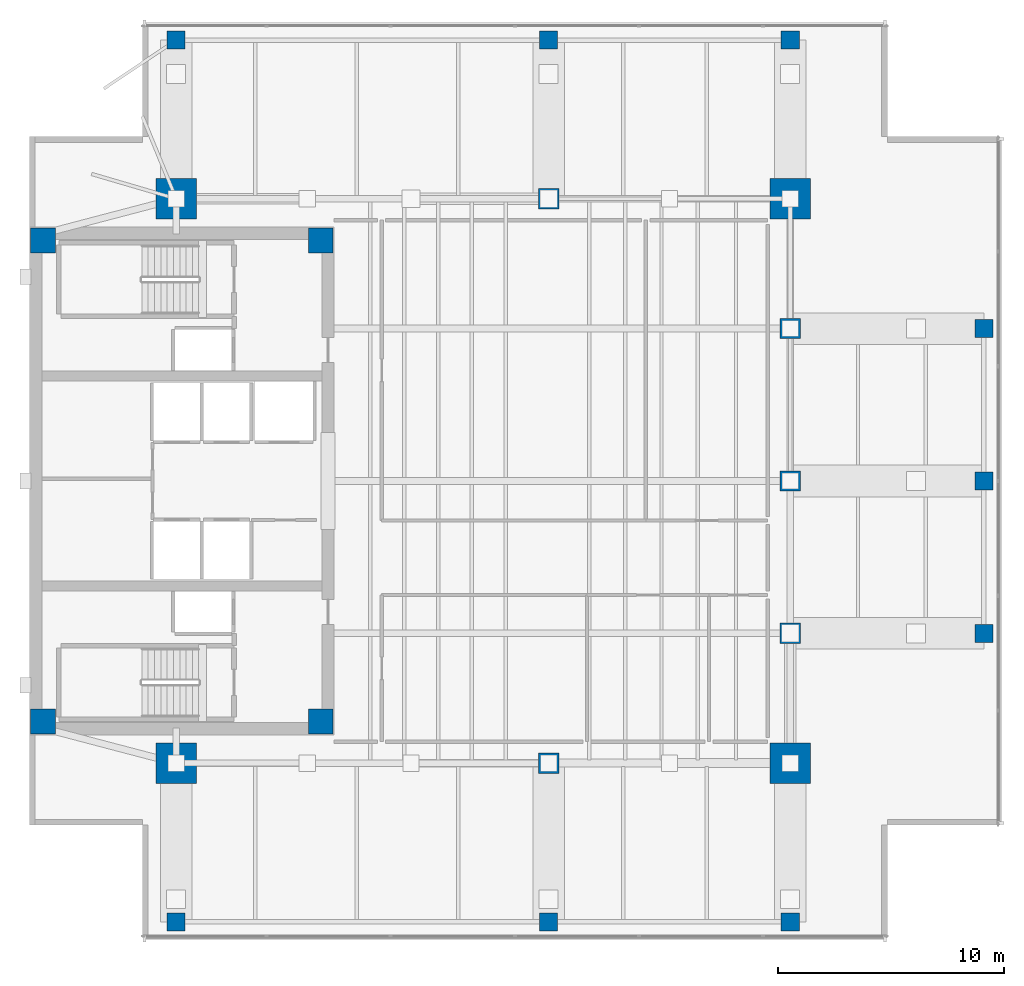
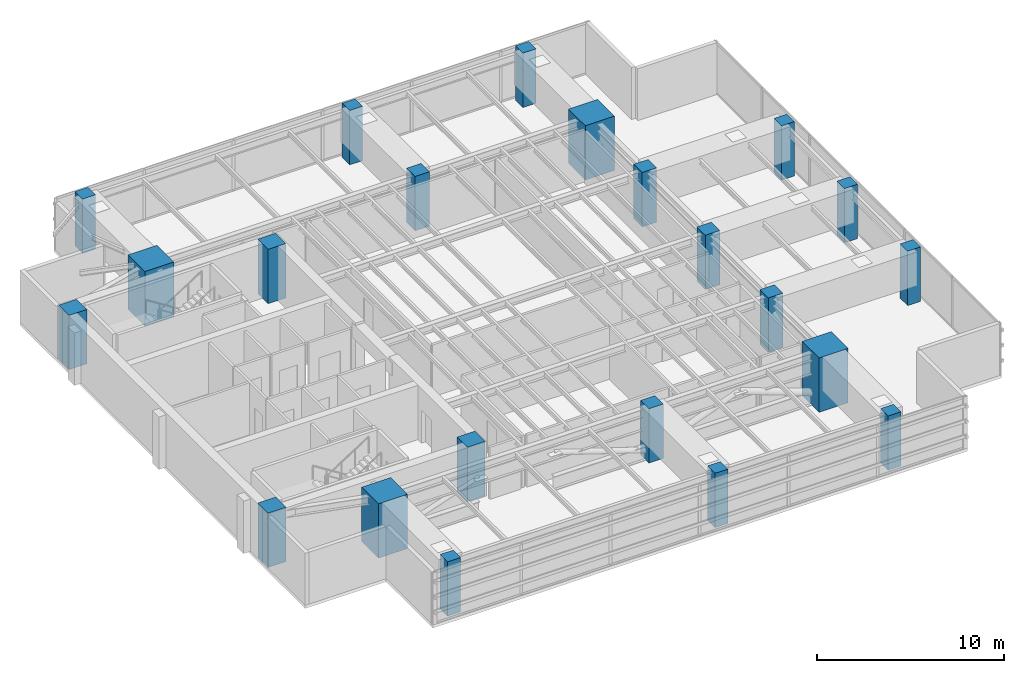
# One storey, part 1 of 13: 22 columns.
"""IFC4 building model written with IfcOpenShell, lengths in metres."""

from ifc_helpers import new_model, si_unit, direction, frame, origin, origin_2d, place, context, subcontext, project, spatial, rectangle, extrude, material, material_profile, profile_set, type_object, element, save


model = new_model("IFC4")

# Units and contexts
model_context = context("Model", 3, precision=1e-05, world=origin(), true_north=direction((0.0, 1.0)))
body_context = subcontext(model_context, "Body", "Model", "MODEL_VIEW")
ifc_project = project(units=[si_unit("LENGTHUNIT", "METRE"), si_unit("AREAUNIT", "SQUARE_METRE"), si_unit("VOLUMEUNIT", "CUBIC_METRE"), si_unit("PLANEANGLEUNIT", "RADIAN"), si_unit("MASSUNIT", "GRAM", prefix="KILO")], contexts=[model_context])

# Site, building, storey
site_placement = place(None, origin())
site = spatial("IfcSite", under=ifc_project, at=site_placement, CompositionType="ELEMENT")
building_placement = place(site_placement, origin())
building = spatial("IfcBuilding", under=site, at=building_placement, Name="Kinhvarn Gate Tower", CompositionType="ELEMENT")
storey_placement = place(building_placement, frame((0.0, 0.0, 241.300048828125)))
storey = spatial("IfcBuildingStorey", under=building, at=storey_placement, Name="L64", CompositionType="ELEMENT", Elevation=241.300048828125)

# Columns
ifc_material_1 = material(Name="Concrete C60/75", Category="concrete")
ifc_material_profile_1 = material_profile(ifc_material_1, rectangle(XDim=1.800048828125, YDim=1.800048828125, at=origin_2d()), Name="RC 1800x1800")
ifc_profile_set_1 = profile_set([ifc_material_profile_1], Name="Concrete C60/75")
column_type_1 = type_object("IfcColumnType", Name="COL-MC-1800", PredefinedType="COLUMN", material=ifc_profile_set_1)
for number, where, z_axis, x_axis, name in (
    (1, (11.0, 12.75, 0.0), (0.0, 0.0, 1.0), (1.0, 0.0, 0.0), "Column MC1-L64 (MC-18)"),
    (2, (11.0, 37.75, 0.0), (0.0, 0.0, 1.0), (1.0, 0.0, 0.0), "Column MC4-L64 (MC-18)"),
    (3, (38.199951171875, 12.75, 0.0), (0.0, 0.0, 1.0), (1.0, 0.0, 0.0), "Column MC2-L64 (MC-18)"),
    (4, (38.199951171875, 37.75, 0.0), (0.0, 0.0, 1.0), (1.0, 0.0, 0.0), "Column MC3-L64 (MC-18)"),
):
    element("IfcColumn", number, at=place(storey_placement, frame(where, z_axis=z_axis, x_axis=x_axis)), inside=storey, type_object=column_type_1, Name=name, PredefinedType="COLUMN", context=body_context, shape_type="SweptSolid", body=[
        extrude(rectangle(XDim=1.800048828125, YDim=1.800048828125, at=origin_2d()), origin(), (0.0, 0.0, 1.0), 3.550048828125),
    ])
ifc_material_2 = material(Name="Concrete C50/60", Category="concrete")
ifc_material_profile_2 = material_profile(ifc_material_2, rectangle(XDim=0.800048828125, YDim=0.800048828125, at=origin_2d()), Name="RC 800x800")
ifc_profile_set_2 = profile_set([ifc_material_profile_2], Name="Concrete C50/60")
column_type_2 = type_object("IfcColumnType", Name="COL-RC-800", PredefinedType="COLUMN", material=ifc_profile_set_2)
for number, where, z_axis, x_axis, name in (
    (5, (46.780029296875, 18.5, 0.0), (0.0, 0.0, 1.0), (1.0, 0.0, 0.0), "Column CE-1-L64 (C-080)"),
    (6, (46.780029296875, 25.25, 0.0), (0.0, 0.0, 1.0), (1.0, 0.0, 0.0), "Column CE-2-L64 (C-080)"),
    (7, (46.780029296875, 32.0, 0.0), (0.0, 0.0, 1.0), (1.0, 0.0, 0.0), "Column CE-3-L64 (C-080)"),
    (8, (11.0, 5.719970703125, 0.0), (0.0, 0.0, 1.0), (1.0, 0.0, 0.0), "Column CS-0-L64 (C-080)"),
    (9, (27.5, 5.719970703125, 0.0), (0.0, 0.0, 1.0), (1.0, 0.0, 0.0), "Column CS-1-L64 (C-080)"),
    (10, (38.199951171875, 5.719970703125, 0.0), (0.0, 0.0, 1.0), (1.0, 0.0, 0.0), "Column CS-2-L64 (C-080)"),
    (11, (11.0, 44.780029296875, 0.0), (0.0, 0.0, 1.0), (1.0, 0.0, 0.0), "Column CN-0-L64 (C-080)"),
    (12, (27.5, 44.780029296875, 0.0), (0.0, 0.0, 1.0), (1.0, 0.0, 0.0), "Column CN-1-L64 (C-080)"),
    (13, (38.199951171875, 44.780029296875, 0.0), (0.0, 0.0, 1.0), (1.0, 0.0, 0.0), "Column CN-2-L64 (C-080)"),
):
    element("IfcColumn", number, at=place(storey_placement, frame(where, z_axis=z_axis, x_axis=x_axis)), inside=storey, type_object=column_type_2, Name=name, PredefinedType="COLUMN", context=body_context, shape_type="SweptSolid", body=[
        extrude(rectangle(XDim=0.800048828125, YDim=0.800048828125, at=origin_2d()), origin(), (0.0, 0.0, 1.0), 3.550048828125),
    ])
ifc_material_profile_3 = material_profile(ifc_material_1, rectangle(XDim=0.89990234375, YDim=0.89990234375, at=origin_2d()), Name="RC 900x900")
ifc_profile_set_3 = profile_set([ifc_material_profile_3], Name="Concrete C60/75")
column_type_3 = type_object("IfcColumnType", Name="COL-RC-900", PredefinedType="COLUMN", material=ifc_profile_set_3)
for number, where, z_axis, x_axis, name in (
    (14, (27.5, 12.75, 0.0), (0.0, 0.0, 1.0), (1.0, 0.0, 0.0), "Column SP27-S-L64 (C-090)"),
    (15, (27.5, 37.75, 0.0), (0.0, 0.0, 1.0), (1.0, 0.0, 0.0), "Column SP27-N-L64 (C-090)"),
    (16, (38.199951171875, 18.5, 0.0), (0.0, 0.0, 1.0), (1.0, 0.0, 0.0), "Column SP38-E1-L64 (C-090)"),
    (17, (38.199951171875, 25.25, 0.0), (0.0, 0.0, 1.0), (1.0, 0.0, 0.0), "Column SP38-E2-L64 (C-090)"),
    (18, (38.199951171875, 32.0, 0.0), (0.0, 0.0, 1.0), (1.0, 0.0, 0.0), "Column SP38-E3-L64 (C-090)"),
):
    element("IfcColumn", number, at=place(storey_placement, frame(where, z_axis=z_axis, x_axis=x_axis)), inside=storey, type_object=column_type_3, Name=name, PredefinedType="COLUMN", context=body_context, shape_type="SweptSolid", body=[
        extrude(rectangle(XDim=0.89990234375, YDim=0.89990234375, at=origin_2d()), origin(), (0.0, 0.0, 1.0), 3.550048828125),
    ])
ifc_material_profile_4 = material_profile(ifc_material_1, rectangle(XDim=1.10009765625, YDim=1.10009765625, at=origin_2d()), Name="RC 1100x1100")
ifc_profile_set_4 = profile_set([ifc_material_profile_4], Name="Concrete C60/75")
column_type_4 = type_object("IfcColumnType", Name="PIL-RC-1100", PredefinedType="PILASTER", material=ifc_profile_set_4)
for number, where, z_axis, x_axis, name in (
    (19, (5.10009765625, 14.60009765625, 0.0), (0.0, 0.0, 1.0), (1.0, 0.0, 0.0), "Column CC-SW-L64 (CP-110)"),
    (20, (5.10009765625, 35.89990234375, 0.0), (0.0, 0.0, 1.0), (1.0, 0.0, 0.0), "Column CC-NW-L64 (CP-110)"),
    (21, (17.39990234375, 14.60009765625, 0.0), (0.0, 0.0, 1.0), (1.0, 0.0, 0.0), "Column CC-SE-L64 (CP-110)"),
    (22, (17.39990234375, 35.89990234375, 0.0), (0.0, 0.0, 1.0), (1.0, 0.0, 0.0), "Column CC-NE-L64 (CP-110)"),
):
    element("IfcColumn", number, at=place(storey_placement, frame(where, z_axis=z_axis, x_axis=x_axis)), inside=storey, type_object=column_type_4, Name=name, PredefinedType="PILASTER", context=body_context, shape_type="SweptSolid", body=[
        extrude(rectangle(XDim=1.10009765625, YDim=1.10009765625, at=origin_2d()), origin(), (0.0, 0.0, 1.0), 3.550048828125),
    ])

save(model, "model.ifc")
